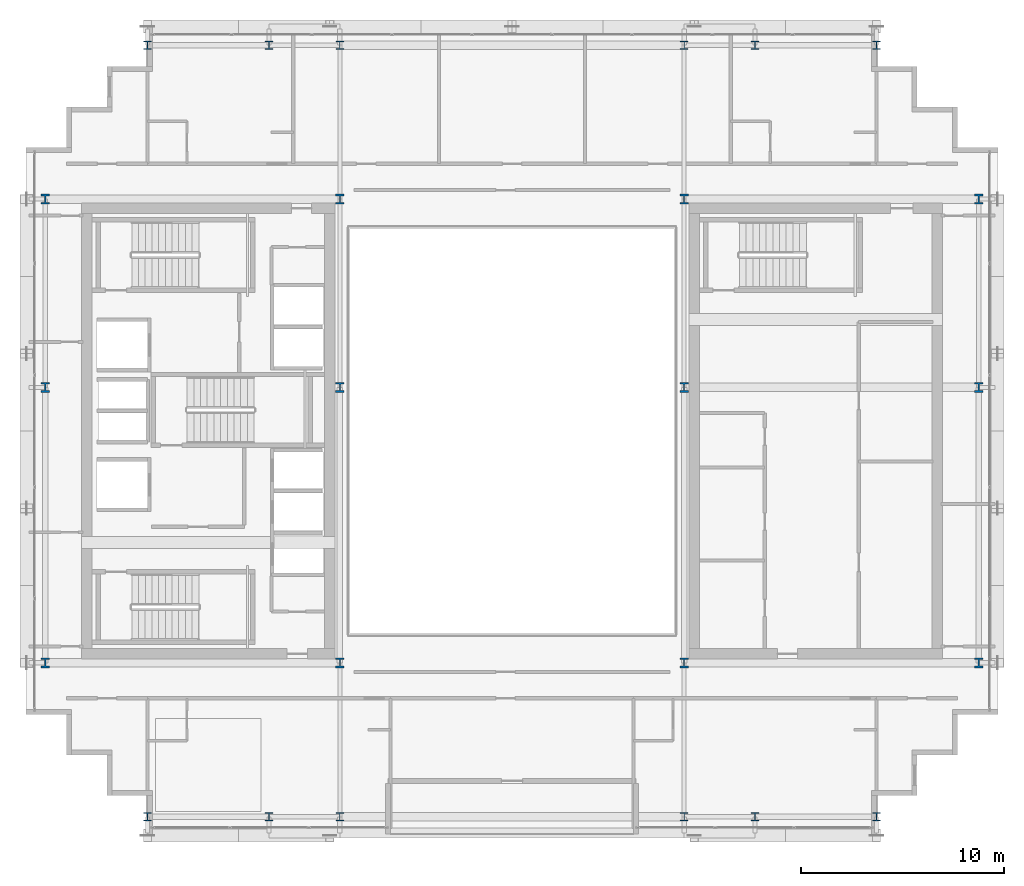
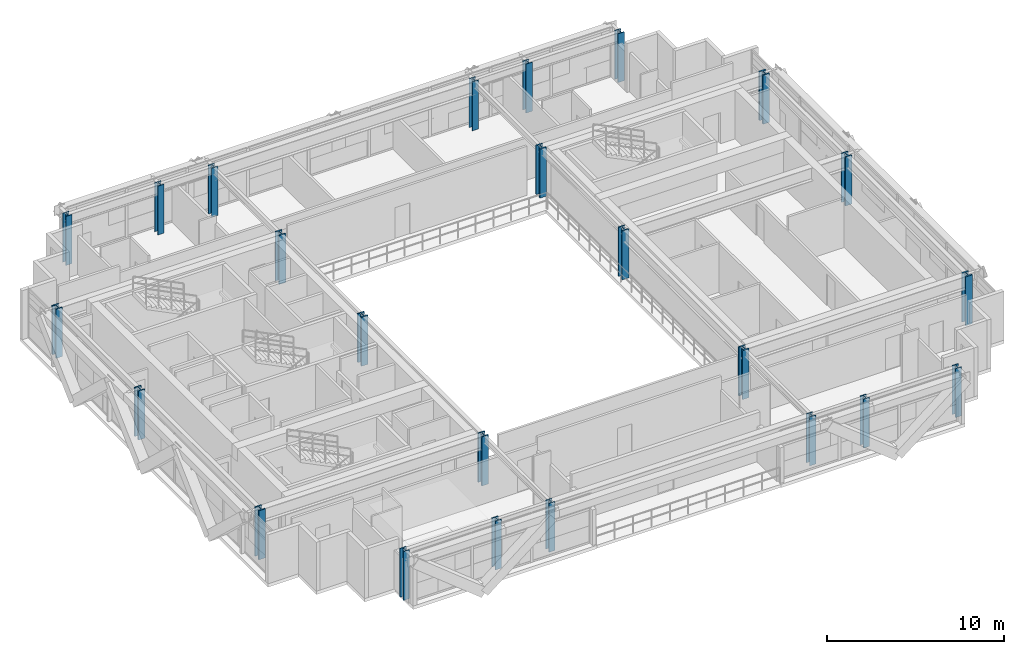
# One storey, part 1 of 31: 24 columns.
"""IFC4 building model written with IfcOpenShell, lengths in metres."""

import ifcopenshell
import ifcopenshell.guid

model = None  # the IFC model being written
_history = None  # IfcOwnerHistory: only IFC2X3 demands one
_inside = {}  # id of a spatial element -> (the spatial element, [elements in it])
_under = {}  # id of a project, library or spatial element -> (it, [spatial elements below it])
_declared = {}  # id of a project -> (the project, [libraries it declares])
_typed = {}  # id of a type object -> (the type object, [elements of that type])
_made_of = {}  # id of a material, layer set ... -> (it, [elements and type objects made of it])


def new_model(schema):
    """Start an empty IFC model of exactly this schema.

    Asked for "IFC4X3", IfcOpenShell would pick the latest addendum, in which some entities
    have other attributes; the version numbers below select the first issue.
    IFC2X3 requires an IfcOwnerHistory on every rooted entity: one is made here for all.
    """
    global model, _history
    if schema == "IFC4X3":
        model = ifcopenshell.file(schema_version=(4, 3, 0, 0))
    else:
        model = ifcopenshell.file(schema=schema)
    _inside.clear()
    _under.clear()
    _declared.clear()
    _typed.clear()
    _made_of.clear()
    _history = None
    if model.schema == "IFC2X3":
        org = make("IfcOrganization", Name="unknown")
        user = make(
            "IfcPersonAndOrganization",
            ThePerson=make("IfcPerson", FamilyName="unknown"),
            TheOrganization=org,
        )
        app = make(
            "IfcApplication",
            ApplicationDeveloper=org,
            Version="unknown",
            ApplicationFullName="unknown",
            ApplicationIdentifier="unknown",
        )
        _history = make(
            "IfcOwnerHistory",
            OwningUser=user,
            OwningApplication=app,
            ChangeAction="ADDED",
            CreationDate=0,
        )
    return model


def make(cls, **values):
    """One entity of the class cls with the attributes given. An attribute that is None is left unset."""
    return model.create_entity(
        cls, **{name: value for name, value in values.items() if value is not None}
    )


def rooted(cls, **values):
    """An entity with a GlobalId (a new one), such as an element, a storey or a relation."""
    return make(cls, GlobalId=ifcopenshell.guid.new(), OwnerHistory=_history, **values)


def si_unit(unit_type, name, prefix=None):
    """IfcSIUnit, for example si_unit("LENGTHUNIT", "METRE", prefix="MILLI")."""
    return make("IfcSIUnit", UnitType=unit_type, Prefix=prefix, Name=name)


def assignment(units):
    """IfcUnitAssignment: the units of a project."""
    return None if units is None else make("IfcUnitAssignment", Units=units)


def point(xyz):
    """IfcCartesianPoint."""
    return None if xyz is None else make("IfcCartesianPoint", Coordinates=xyz)


def direction(xyz):
    """IfcDirection."""
    return None if xyz is None else make("IfcDirection", DirectionRatios=xyz)


def frame(location, z_axis=None, x_axis=None):
    """IfcAxis2Placement3D, a coordinate frame: its origin and axes. An axis left out is left unset."""
    return make(
        "IfcAxis2Placement3D",
        Location=point(location),
        Axis=direction(z_axis),
        RefDirection=direction(x_axis),
    )


def frame_2d(location, x_axis=None):
    """IfcAxis2Placement2D, a coordinate frame in the plane: its origin and x axis."""
    return make(
        "IfcAxis2Placement2D", Location=point(location), RefDirection=direction(x_axis)
    )


def origin():
    """The frame at (0, 0, 0) with its axes left unset."""
    return frame((0.0, 0.0, 0.0))


def origin_2d():
    """The frame at (0, 0) in the plane with its x axis left unset."""
    return frame_2d((0.0, 0.0))


def place(relative_to, where):
    """IfcLocalPlacement: puts the frame where relative to a parent placement (None: the world)."""
    return make(
        "IfcLocalPlacement", PlacementRelTo=relative_to, RelativePlacement=where
    )


def context(
    kind, dimensions, precision=None, world=None, true_north=None, identifier=None
):
    """IfcGeometricRepresentationContext, for example the 3D "Model" context."""
    return make(
        "IfcGeometricRepresentationContext",
        ContextIdentifier=identifier,
        ContextType=kind,
        CoordinateSpaceDimension=dimensions,
        Precision=precision,
        WorldCoordinateSystem=world,
        TrueNorth=true_north,
    )


def subcontext(parent, identifier, kind, view, scale=None):
    """IfcGeometricRepresentationSubContext, for example "Body" below "Model"."""
    return make(
        "IfcGeometricRepresentationSubContext",
        ContextIdentifier=identifier,
        ContextType=kind,
        ParentContext=parent,
        TargetScale=scale,
        TargetView=view,
    )


def project(units=None, contexts=None):
    """IfcProject with its units and contexts."""
    return rooted(
        "IfcProject",
        Name="project",
        RepresentationContexts=contexts,
        UnitsInContext=assignment(units),
    )


def spatial(cls, under=None, at=None, **own):
    """A site, building, storey or space (cls), placed at a placement, below another one or the project."""
    s = rooted(cls, ObjectPlacement=at, **own)
    if under is not None:
        _under.setdefault(under.id(), (under, []))[1].append(s)
    return s


def profile(cls, at=None, kind="AREA", **sizes):
    """A parametric profile (cls). Its sizes go by their IFC names, for example OverallWidth=200.0."""
    return make(cls, ProfileType=kind, Position=at, **sizes)


def i_section(**sizes):
    """IfcIShapeProfileDef."""
    return profile("IfcIShapeProfileDef", **sizes)


def extrude(swept, where, along, depth):
    """IfcExtrudedAreaSolid: the profile swept, set in the frame where, extruded along a direction by depth."""
    return make(
        "IfcExtrudedAreaSolid",
        SweptArea=swept,
        Position=where,
        ExtrudedDirection=direction(along),
        Depth=depth,
    )


def shape(context_of_items, identifier, shape_type, items):
    """IfcShapeRepresentation: the items that make up one representation, for example the "Body"."""
    return make(
        "IfcShapeRepresentation",
        ContextOfItems=context_of_items,
        RepresentationIdentifier=identifier,
        RepresentationType=shape_type,
        Items=items,
    )


def source(mapping_origin, context_of_items, identifier, shape_type, items):
    """IfcRepresentationMap: a shape defined once, which mapped items show again and again."""
    return make(
        "IfcRepresentationMap",
        MappingOrigin=mapping_origin,
        MappedRepresentation=shape(context_of_items, identifier, shape_type, items),
    )


def transform(
    local_origin,
    x_axis=None,
    y_axis=None,
    z_axis=None,
    scale=None,
    scale2=None,
    scale3=None,
    uniform=True,
):
    """IfcCartesianTransformationOperator3D, or its non-uniform kind. x_axis, y_axis, z_axis: its Axis1, 2, 3."""
    if uniform:
        return make(
            "IfcCartesianTransformationOperator3D",
            Axis1=direction(x_axis),
            Axis2=direction(y_axis),
            LocalOrigin=point(local_origin),
            Scale=scale,
            Axis3=direction(z_axis),
        )
    return make(
        "IfcCartesianTransformationOperator3DnonUniform",
        Axis1=direction(x_axis),
        Axis2=direction(y_axis),
        LocalOrigin=point(local_origin),
        Scale=scale,
        Axis3=direction(z_axis),
        Scale2=scale2,
        Scale3=scale3,
    )


def mapped(mapping_source, mapping_target):
    """IfcMappedItem: shows the shape of a source again, moved by a transform."""
    return make(
        "IfcMappedItem", MappingSource=mapping_source, MappingTarget=mapping_target
    )


def material(Name=None, Category=None):
    """IfcMaterial."""
    return make("IfcMaterial", Name=Name, Category=Category)


def material_profile(
    of_material, cross_section, Name=None, Category=None, Priority=None
):
    """IfcMaterialProfile: a cross section and its material."""
    return make(
        "IfcMaterialProfile",
        Name=Name,
        Material=of_material,
        Profile=cross_section,
        Priority=Priority,
        Category=Category,
    )


def profile_set(profiles, Name=None, composite=None):
    """IfcMaterialProfileSet."""
    return make(
        "IfcMaterialProfileSet",
        Name=Name,
        MaterialProfiles=profiles,
        CompositeProfile=composite,
    )


def made_of(thing, what):
    """Note that an element or type object is made of a material, layer set ...; save() writes the relation."""
    if what is not None:
        _made_of.setdefault(what.id(), (what, []))[1].append(thing)
    return thing


def type_object(cls, material=None, **own):
    """A type object (cls), such as IfcWallType, which elements share."""
    return made_of(rooted(cls, **own), material)


def element(
    cls,
    number,
    at=None,
    inside=None,
    cuts=None,
    type_object=None,
    material=None,
    context=None,
    identifier="Body",
    shape_type=None,
    held_by="IfcProductDefinitionShape",
    body=None,
    shapes=None,
    **own,
):
    """One element of the class cls, such as IfcWall. Its Tag is "e" and its number.

    at: its placement. inside: the storey or other place that contains it. cuts: it is an
    opening in that element (IfcRelVoidsElement). A single representation is given by context,
    identifier, shape_type and body (its items); several are given by shapes. held_by: the class
    of the entity that holds the representations. save() writes the other relations.
    """
    e = rooted(cls, Tag="e%d" % number, ObjectPlacement=at, **own)
    if body is not None:
        shapes = [shape(context, identifier, shape_type, body)]
    if shapes is not None:
        e.Representation = make(held_by, Representations=shapes)
    if inside is not None:
        _inside.setdefault(inside.id(), (inside, []))[1].append(e)
    if cuts is not None:
        rooted(
            "IfcRelVoidsElement", RelatingBuildingElement=cuts, RelatedOpeningElement=e
        )
    if type_object is not None:
        _typed.setdefault(type_object.id(), (type_object, []))[1].append(e)
    return made_of(e, material)


def aggregate(whole, parts):
    """IfcRelAggregates: a whole, such as a stair, and the parts it consists of."""
    return rooted("IfcRelAggregates", RelatingObject=whole, RelatedObjects=parts)


def save(model, path):
    """Write the relations noted so far, then the file.

    IfcRelAggregates (storeys below a building ...), IfcRelContainedInSpatialStructure (elements
    in a storey), IfcRelDefinesByType, IfcRelAssociatesMaterial and IfcRelDeclares: one each for
    every whole, place, type object, material and project.
    """
    for whole, parts in _under.values():
        aggregate(whole, parts)
    for where, things in _inside.values():
        rooted(
            "IfcRelContainedInSpatialStructure",
            RelatedElements=things,
            RelatingStructure=where,
        )
    for kind, things in _typed.values():
        rooted("IfcRelDefinesByType", RelatedObjects=things, RelatingType=kind)
    for what, things in _made_of.values():
        rooted("IfcRelAssociatesMaterial", RelatedObjects=things, RelatingMaterial=what)
    for by, libraries in _declared.values():
        rooted("IfcRelDeclares", RelatingContext=by, RelatedDefinitions=libraries)
    model.write(path)


model = new_model("IFC4")

# Units and contexts
model_context = context("Model", 3, precision=1e-05, world=origin(), true_north=direction((0.0, 1.0)))
body_context = subcontext(model_context, "Body", "Model", "MODEL_VIEW")
ifc_project = project(units=[si_unit("LENGTHUNIT", "METRE"), si_unit("AREAUNIT", "SQUARE_METRE"), si_unit("VOLUMEUNIT", "CUBIC_METRE"), si_unit("PLANEANGLEUNIT", "RADIAN"), si_unit("MASSUNIT", "GRAM", prefix="KILO")], contexts=[model_context])

# Site, building, storey
site_placement = place(None, origin())
site = spatial("IfcSite", under=ifc_project, at=site_placement, CompositionType="ELEMENT")
building_placement = place(site_placement, origin())
building = spatial("IfcBuilding", under=site, at=building_placement, Name="Ocotamira Hotel", CompositionType="ELEMENT")
storey_placement = place(building_placement, frame((0.0, 0.0, 199.199951171875)))
storey = spatial("IfcBuildingStorey", under=building, at=storey_placement, Name="L50", CompositionType="ELEMENT", Elevation=199.199951171875)

# Columns
ifc_material = material(Name="Steel ASTM A913 Grade 65", Category="steel")
ifc_material_profile_1 = material_profile(ifc_material, i_section(OverallWidth=0.431884765625, OverallDepth=0.498046875, WebThickness=0.0556640625, FlangeThickness=0.0888671875, FilletRadius=0.02490234375, at=origin_2d()), Name="W14X500")
ifc_profile_set_1 = profile_set([ifc_material_profile_1], Name="Steel ASTM A913 Grade 65")
column_type_1 = type_object("IfcColumnType", Name="COL-W14X500", PredefinedType="COLUMN", material=ifc_profile_set_1)
shared_shape_1 = source(origin(), body_context, "Body", "SweptSolid", [
    extrude(i_section(OverallWidth=0.431884765625, OverallDepth=0.498046875, WebThickness=0.0556640625, FlangeThickness=0.0888671875, FilletRadius=0.02490234375, at=origin_2d()), origin(), (0.0, 0.0, 1.0), 3.3701171875),
])
for number, where, z_axis, x_axis, name in (
    (1, (8.949951171875, 14.550048828125, 0.0), (0.0, 0.0, 1.0), (1.0, 0.0, 0.0), "L50 Column TW8_14"),
    (2, (23.5, 14.550048828125, 0.0), (0.0, 0.0, 1.0), (1.0, 0.0, 0.0), "L50 Column TW23_14"),
    (3, (40.5, 14.550048828125, 0.0), (0.0, 0.0, 1.0), (1.0, 0.0, 0.0), "L50 Column TE40_14"),
    (4, (55.050048828125, 14.550048828125, 0.0), (0.0, 0.0, 1.0), (1.0, 0.0, 0.0), "L50 Column TE55_14"),
    (5, (8.949951171875, 28.14990234375, 0.0), (0.0, 0.0, 1.0), (1.0, 0.0, 0.0), "L50 Column TW8_28"),
    (6, (23.5, 28.14990234375, 0.0), (0.0, 0.0, 1.0), (1.0, 0.0, 0.0), "L50 Column TW23_28"),
    (7, (40.5, 28.14990234375, 0.0), (0.0, 0.0, 1.0), (1.0, 0.0, 0.0), "L50 Column TE40_28"),
    (8, (55.050048828125, 28.14990234375, 0.0), (0.0, 0.0, 1.0), (1.0, 0.0, 0.0), "L50 Column TE55_28"),
    (9, (8.949951171875, 37.449951171875, 0.0), (0.0, 0.0, 1.0), (1.0, 0.0, 0.0), "L50 Column TW8_37"),
    (10, (23.5, 37.449951171875, 0.0), (0.0, 0.0, 1.0), (1.0, 0.0, 0.0), "L50 Column TW23_37"),
    (11, (40.5, 37.449951171875, 0.0), (0.0, 0.0, 1.0), (1.0, 0.0, 0.0), "L50 Column TE40_37"),
    (12, (55.050048828125, 37.449951171875, 0.0), (0.0, 0.0, 1.0), (1.0, 0.0, 0.0), "L50 Column TE55_37"),
):
    element("IfcColumn", number, at=place(storey_placement, frame(where, z_axis=z_axis, x_axis=x_axis)), inside=storey, type_object=column_type_1, Name=name, PredefinedType="COLUMN", context=body_context, shape_type="MappedRepresentation", body=[
        mapped(shared_shape_1, transform((0.0, 0.0, 0.0), scale=1.0)),
    ])
ifc_material_profile_2 = material_profile(ifc_material, i_section(OverallWidth=0.404052734375, OverallDepth=0.406982421875, WebThickness=0.027099609375, FlangeThickness=0.043701171875, FilletRadius=0.02490234375, at=origin_2d()), Name="W14X233")
ifc_profile_set_2 = profile_set([ifc_material_profile_2], Name="Steel ASTM A913 Grade 65")
column_type_2 = type_object("IfcColumnType", Name="COL-W14X233", PredefinedType="COLUMN", material=ifc_profile_set_2)
shared_shape_2 = source(origin(), body_context, "Body", "SweptSolid", [
    extrude(i_section(OverallWidth=0.404052734375, OverallDepth=0.406982421875, WebThickness=0.027099609375, FlangeThickness=0.043701171875, FilletRadius=0.02490234375, at=origin_2d()), origin(), (0.0, 0.0, 1.0), 3.3701171875),
])
for number, where, z_axis, x_axis, name in (
    (13, (14.0, 6.949951171875, 0.0), (0.0, 0.0, 1.0), (1.0, 0.0, 0.0), "L50 Column NSP1_14"),
    (14, (20.0, 6.949951171875, 0.0), (0.0, 0.0, 1.0), (1.0, 0.0, 0.0), "L50 Column NSP1_20"),
    (15, (23.5, 6.949951171875, 0.0), (0.0, 0.0, 1.0), (1.0, 0.0, 0.0), "L50 Column NSP1_23"),
    (16, (40.5, 6.949951171875, 0.0), (0.0, 0.0, 1.0), (1.0, 0.0, 0.0), "L50 Column NSP1_40"),
    (17, (44.0, 6.949951171875, 0.0), (0.0, 0.0, 1.0), (1.0, 0.0, 0.0), "L50 Column NSP1_44"),
    (18, (50.0, 6.949951171875, 0.0), (0.0, 0.0, 1.0), (1.0, 0.0, 0.0), "L50 Column NSP1_50"),
    (19, (14.0, 45.050048828125, 0.0), (0.0, 0.0, 1.0), (1.0, 0.0, 0.0), "L50 Column NSP2_14"),
    (20, (20.0, 45.050048828125, 0.0), (0.0, 0.0, 1.0), (1.0, 0.0, 0.0), "L50 Column NSP2_20"),
    (21, (23.5, 45.050048828125, 0.0), (0.0, 0.0, 1.0), (1.0, 0.0, 0.0), "L50 Column NSP2_23"),
    (22, (40.5, 45.050048828125, 0.0), (0.0, 0.0, 1.0), (1.0, 0.0, 0.0), "L50 Column NSP2_40"),
    (23, (44.0, 45.050048828125, 0.0), (0.0, 0.0, 1.0), (1.0, 0.0, 0.0), "L50 Column NSP2_44"),
    (24, (50.0, 45.050048828125, 0.0), (0.0, 0.0, 1.0), (1.0, 0.0, 0.0), "L50 Column NSP2_50"),
):
    element("IfcColumn", number, at=place(storey_placement, frame(where, z_axis=z_axis, x_axis=x_axis)), inside=storey, type_object=column_type_2, Name=name, PredefinedType="COLUMN", context=body_context, shape_type="MappedRepresentation", body=[
        mapped(shared_shape_2, transform((0.0, 0.0, 0.0), scale=1.0)),
    ])

save(model, "model.ifc")
